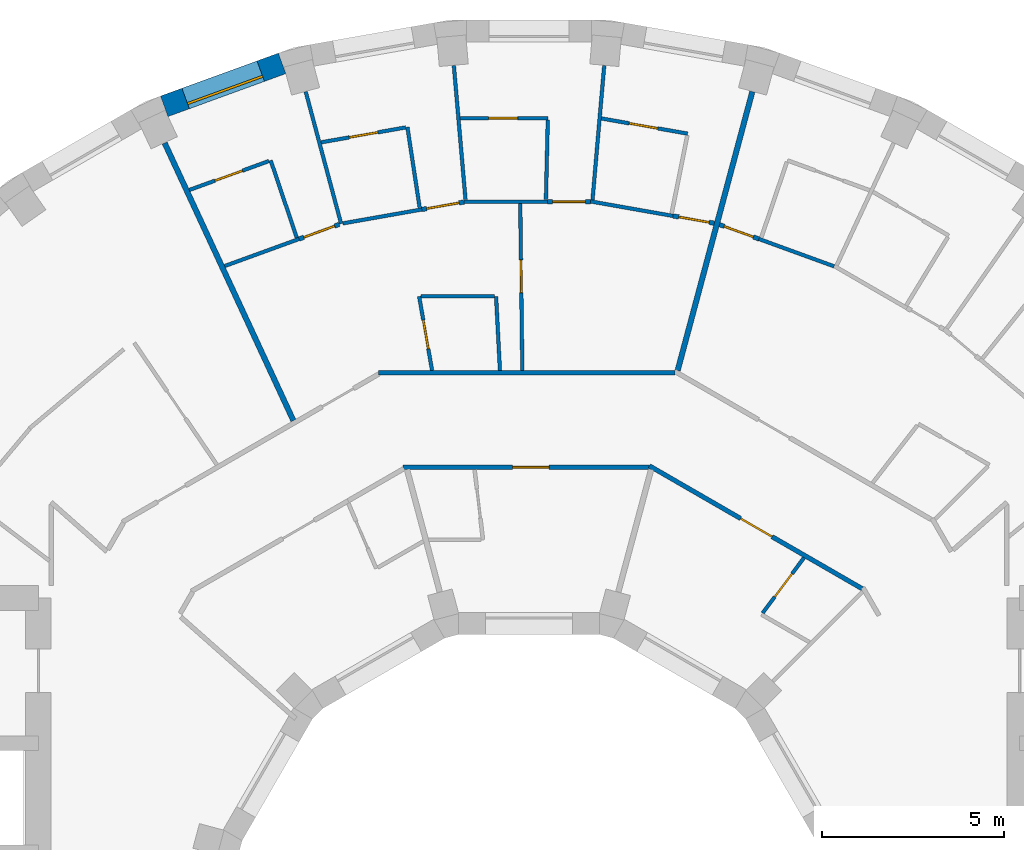
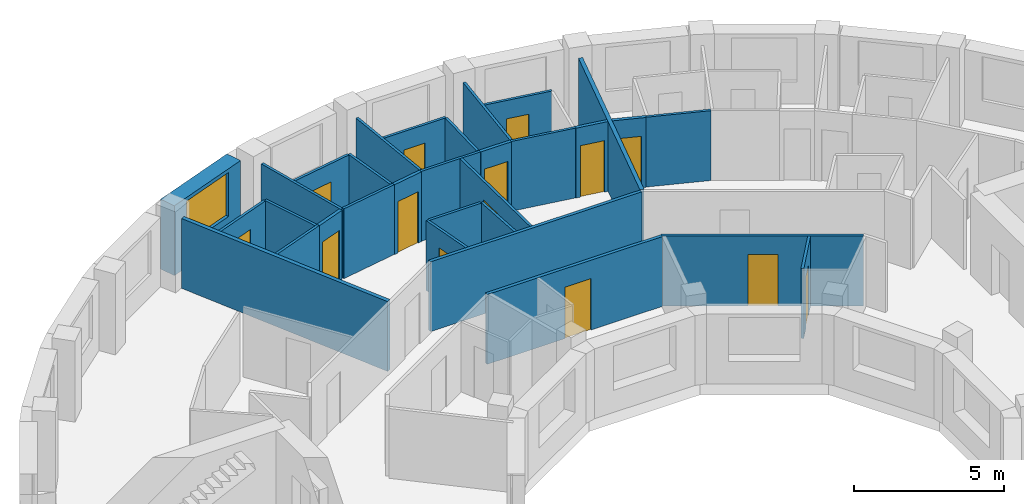
# One storey, part 11 of 14: 31 walls, 14 doors, 1 window, 15 openings.
"""IFC4 building model written with IfcOpenShell, lengths in metres."""

from ifc_helpers import new_model, si_unit, direction, frame, frame_2d, origin, place, context, subcontext, project, spatial, rectangle, extrude, material, layer, layer_set, type_object, element, fill, save


model = new_model("IFC4")

# Units and contexts
model_context = context("Model", 3, precision=1e-05, world=origin(), true_north=direction((0.0, 1.0)))
body_context = subcontext(model_context, "Body", "Model", "MODEL_VIEW")
ifc_project = project(units=[si_unit("LENGTHUNIT", "METRE"), si_unit("AREAUNIT", "SQUARE_METRE"), si_unit("VOLUMEUNIT", "CUBIC_METRE"), si_unit("PLANEANGLEUNIT", "RADIAN"), si_unit("MASSUNIT", "GRAM", prefix="KILO")], contexts=[model_context])

# Site, building, storey
site_placement = place(None, origin())
site = spatial("IfcSite", under=ifc_project, at=site_placement, CompositionType="ELEMENT")
building_placement = place(site_placement, origin())
building = spatial("IfcBuilding", under=site, at=building_placement, Name="Saqina Gate Tower", CompositionType="ELEMENT")
storey_placement = place(building_placement, frame((0.0, 0.0, 170.699951171875)))
storey = spatial("IfcBuildingStorey", under=building, at=storey_placement, Name="L48", CompositionType="ELEMENT", Elevation=170.699951171875)

# Wall, opening, window
ifc_material_1 = material(Name="Brick masonry (buff)", Category="masonry")
ifc_layer_1 = layer(ifc_material_1, 0.60009765625)
ifc_layer_set_1 = layer_set([ifc_layer_1], Name="FW-BRICK-BUFF")
wall_type_1 = type_object("IfcWallType", Name="FW-BRICK-BUFF", PredefinedType="SOLIDWALL", material=ifc_layer_set_1)
wall_1_placement = place(storey_placement, frame((-6.79443359375, 23.7109375, 0.0), z_axis=(0.0, 0.0, 1.0), x_axis=(-0.93968799822, -0.342032843455, 0.0)))
wall_1 = element("IfcWall", 1, at=wall_1_placement, inside=storey, type_object=wall_type_1, Name="Facade wall L48 facet 11", PredefinedType="SOLIDWALL", context=body_context, shape_type="SweptSolid", body=[
    extrude(rectangle(XDim=3.44970703125, YDim=0.60009765625, at=frame_2d((1.724853515625, 0.0))), origin(), (0.0, 0.0, 1.0), 2.85009765625),
])
opening_1_placement = place(wall_1_placement, frame((0.625, 0.0, 0.89990234375)))
opening_1 = element("IfcOpeningElement", 2, at=opening_1_placement, cuts=wall_1, Name="Opening G14-W09", PredefinedType="OPENING", context=body_context, shape_type="SweptSolid", body=[
    extrude(rectangle(XDim=2.199951171875, YDim=1.800048828125, at=frame_2d((1.10009765625, 0.89990234375))), frame((0.0, 0.31201171875, 0.0), z_axis=(0.0, -1.0, 0.0), x_axis=(1.0, 0.0, 0.0)), (0.0, 0.0, 1.0), 0.6240234375),
])
ifc_material_2 = material(Name="Aluminium glazing", Category="aluminium")
window_type = type_object("IfcWindowType", Name="WN-C", PartitioningType="SINGLE_PANEL", PredefinedType="WINDOW", material=ifc_material_2)
window_placement = place(opening_1_placement, origin())
window = element("IfcWindow", 3, at=window_placement, inside=storey, type_object=window_type, Name="Window L48 facet 11", OverallHeight=1.800048828125, OverallWidth=2.199951171875, PartitioningType="SINGLE_PANEL", PredefinedType="WINDOW", context=body_context, shape_type="SweptSolid", body=[
    extrude(rectangle(XDim=2.199951171875, YDim=1.800048828125, at=frame_2d((1.10009765625, 0.89990234375))), frame((0.0, 0.179931640625, 0.0), z_axis=(0.0, -1.0, 0.0), x_axis=(1.0, 0.0, 0.0)), (0.0, 0.0, 1.0), 0.06005859375),
])
fill(opening_1, window)

# Wall, opening, door
ifc_material_3 = material(Name="Gypsum board on steel studs, 100 mm", Category="steel")
ifc_layer_2 = layer(ifc_material_3, 0.10009765625)
ifc_layer_set_2 = layer_set([ifc_layer_2], Name="PARTITION 100")
wall_type_2 = type_object("IfcWallType", Name="PARTITION 100", PredefinedType="PARTITIONING", material=ifc_layer_set_2)
wall_2_placement = place(storey_placement, frame((-0.241455078125, 19.85498046875, 0.0), z_axis=(0.0, 0.0, 1.0), x_axis=(0.012332271409, -0.999923954649, 0.0)))
wall_2 = element("IfcWall", 4, at=wall_2_placement, inside=storey, type_object=wall_type_2, Name="PARTITION PW3-01", PredefinedType="PARTITIONING", context=body_context, shape_type="SweptSolid", body=[
    extrude(rectangle(XDim=4.5927734375, YDim=0.10009765625, at=frame_2d((2.29638671875, 0.0))), origin(), (0.0, 0.0, 1.0), 2.85009765625),
])
opening_2_placement = place(wall_2_placement, frame((1.552734375, 0.0, 0.0)))
opening_2 = element("IfcOpeningElement", 5, at=opening_2_placement, cuts=wall_2, Name="Opening G14-D18", PredefinedType="OPENING", context=body_context, shape_type="SweptSolid", body=[
    extrude(rectangle(XDim=0.89990234375, YDim=2.10009765625, at=frame_2d((0.449951171875, 1.050048828125))), frame((0.0, 0.06201171875, 0.0), z_axis=(0.0, -1.0, 0.0), x_axis=(1.0, 0.0, 0.0)), (0.0, 0.0, 1.0), 0.1240234375),
])
ifc_material_4 = material(Name="Timber door leaf, 900 mm", Category="wood")
door_type_1 = type_object("IfcDoorType", Name="DOOR 900 TIMBER", OperationType="SINGLE_SWING_LEFT", PredefinedType="DOOR", material=ifc_material_4)
door_1_placement = place(opening_2_placement, frame((0.89990234375, 0.0, 0.0), z_axis=(0.0, 0.0, 1.0), x_axis=(-1.0, 0.0, 0.0)))
door_1 = element("IfcDoor", 6, at=door_1_placement, inside=storey, type_object=door_type_1, Name="DOOR G14-D18", OperationType="SINGLE_SWING_LEFT", OverallHeight=2.10009765625, OverallWidth=0.89990234375, PredefinedType="DOOR", context=body_context, shape_type="SweptSolid", body=[
    extrude(rectangle(XDim=0.89990234375, YDim=2.10009765625, at=frame_2d((0.449951171875, 1.050048828125))), frame((0.0, 0.02490234375, 0.0), z_axis=(0.0, -1.0, 0.0), x_axis=(1.0, 0.0, 0.0)), (0.0, 0.0, 1.0), 0.050048828125),
])
fill(opening_2, door_1)

# Walls
wall_3_placement = place(storey_placement, frame((-0.906982421875, 17.300048828125, 0.0), z_axis=(0.0, 0.0, 1.0), x_axis=(0.052288783436, -0.998632005859, 0.0)))
element("IfcWall", 7, at=wall_3_placement, inside=storey, type_object=wall_type_2, Name="PARTITION PW3-03", PredefinedType="PARTITIONING", context=body_context, shape_type="SweptSolid", body=[
    extrude(rectangle(XDim=2.040283203125, YDim=0.10009765625, at=frame_2d((1.02001953125, 0.0))), origin(), (0.0, 0.0, 1.0), 2.85009765625),
])
wall_4_placement = place(storey_placement, frame((-2.06884765625, 23.649658203125, 0.0), z_axis=(0.0, 0.0, 1.0), x_axis=(0.086783514493, -0.996227193773, 0.0)))
element("IfcWall", 8, at=wall_4_placement, inside=storey, type_object=wall_type_2, Name="PARTITION PW3-04", PredefinedType="PARTITIONING", context=body_context, shape_type="SweptSolid", body=[
    extrude(rectangle(XDim=3.696533203125, YDim=0.10009765625, at=frame_2d((1.84814453125, 0.0))), origin(), (0.0, 0.0, 1.0), 2.85009765625),
])
wall_5_placement = place(storey_placement, frame((-3.346923828125, 21.95703125, 0.0), z_axis=(0.0, 0.0, 1.0), x_axis=(0.150778111259, -0.988567631053, 0.0)))
element("IfcWall", 9, at=wall_5_placement, inside=storey, type_object=wall_type_2, Name="PARTITION PW3-08", PredefinedType="PARTITIONING", context=body_context, shape_type="SweptSolid", body=[
    extrude(rectangle(XDim=2.23779296875, YDim=0.10009765625, at=frame_2d((1.118896484375, 0.0))), origin(), (0.0, 0.0, 1.0), 2.85009765625),
])

# Wall, opening, door
wall_6_placement = place(storey_placement, frame((-3.02392578125, 17.300048828125, 0.0), z_axis=(0.0, 0.0, 1.0), x_axis=(0.172122773882, -0.985075505081, 0.0)))
wall_6 = element("IfcWall", 10, at=wall_6_placement, inside=storey, type_object=wall_type_2, Name="PARTITION PW3-10", PredefinedType="PARTITIONING", context=body_context, shape_type="SweptSolid", body=[
    extrude(rectangle(XDim=2.069580078125, YDim=0.10009765625, at=frame_2d((1.03466796875, 0.0))), origin(), (0.0, 0.0, 1.0), 2.85009765625),
])
opening_3_placement = place(wall_6_placement, frame((0.666015625, 0.0, 0.0)))
opening_3 = element("IfcOpeningElement", 11, at=opening_3_placement, cuts=wall_6, Name="Opening G14-D22", PredefinedType="OPENING", context=body_context, shape_type="SweptSolid", body=[
    extrude(rectangle(XDim=0.800048828125, YDim=2.10009765625, at=frame_2d((0.39990234375, 1.050048828125))), frame((0.0, 0.06201171875, 0.0), z_axis=(0.0, -1.0, 0.0), x_axis=(1.0, 0.0, 0.0)), (0.0, 0.0, 1.0), 0.1240234375),
])
ifc_material_5 = material(Name="Timber door leaf, 800 mm", Category="wood")
door_type_2 = type_object("IfcDoorType", Name="DOOR 800 TIMBER", OperationType="SINGLE_SWING_LEFT", PredefinedType="DOOR", material=ifc_material_5)
door_2_placement = place(opening_3_placement, frame((0.800048828125, 0.0, 0.0), z_axis=(0.0, 0.0, 1.0), x_axis=(-1.0, 0.0, 0.0)))
door_2 = element("IfcDoor", 12, at=door_2_placement, inside=storey, type_object=door_type_2, Name="DOOR G14-D22", OperationType="SINGLE_SWING_LEFT", OverallHeight=2.10009765625, OverallWidth=0.800048828125, PredefinedType="DOOR", context=body_context, shape_type="SweptSolid", body=[
    extrude(rectangle(XDim=0.800048828125, YDim=2.10009765625, at=frame_2d((0.39990234375, 1.050048828125))), frame((0.0, 0.02490234375, 0.0), z_axis=(0.0, -1.0, 0.0), x_axis=(1.0, 0.0, 0.0)), (0.0, 0.0, 1.0), 0.050048828125),
])
fill(opening_3, door_2)

# Walls
wall_7_placement = place(storey_placement, frame((-6.144775390625, 22.930908203125, 0.0), z_axis=(0.0, 0.0, 1.0), x_axis=(0.259065026248, -0.965859882268, 0.0)))
element("IfcWall", 13, at=wall_7_placement, inside=storey, type_object=wall_type_2, Name="PARTITION PW3-13", PredefinedType="PARTITIONING", context=body_context, shape_type="SweptSolid", body=[
    extrude(rectangle(XDim=3.75927734375, YDim=0.10009765625, at=frame_2d((1.879638671875, 0.0))), origin(), (0.0, 0.0, 1.0), 2.85009765625),
])
wall_8_placement = place(storey_placement, frame((-7.10888671875, 21.0419921875, 0.0), z_axis=(0.0, 0.0, 1.0), x_axis=(0.320001473527, -0.947417044886, 0.0)))
element("IfcWall", 14, at=wall_8_placement, inside=storey, type_object=wall_type_2, Name="PARTITION PW3-15", PredefinedType="PARTITIONING", context=body_context, shape_type="SweptSolid", body=[
    extrude(rectangle(XDim=2.25, YDim=0.10009765625, at=frame_2d((1.125, 0.0))), origin(), (0.0, 0.0, 1.0), 2.85009765625),
])
wall_9_placement = place(storey_placement, frame((6.325927734375, 18.879638671875, 0.0), z_axis=(0.0, 0.0, 1.0), x_axis=(0.939712538812, -0.341965414041, 0.0)))
element("IfcWall", 15, at=wall_9_placement, inside=storey, type_object=wall_type_2, Name="PARTITION PW3-44", PredefinedType="PARTITIONING", context=body_context, shape_type="SweptSolid", body=[
    extrude(rectangle(XDim=2.203857421875, YDim=0.10009765625, at=frame_2d((1.10205078125, 0.0))), origin(), (0.0, 0.0, 1.0), 2.85009765625),
])
wall_10_placement = place(storey_placement, frame((1.69091796875, 19.913818359375, 0.0), z_axis=(0.0, 0.0, 1.0), x_axis=(0.984801677979, -0.173682627367, 0.0)))
element("IfcWall", 16, at=wall_10_placement, inside=storey, type_object=wall_type_2, Name="PARTITION PW3-48", PredefinedType="PARTITIONING", context=body_context, shape_type="SweptSolid", body=[
    extrude(rectangle(XDim=2.305419921875, YDim=0.10009765625, at=frame_2d((1.15283203125, 0.0))), origin(), (0.0, 0.0, 1.0), 2.85009765625),
])

# Wall, opening, door
wall_11_placement = place(storey_placement, frame((1.9921875, 22.1962890625, 0.0), z_axis=(0.0, 0.0, 1.0), x_axis=(0.984820260231, -0.173577230762, 0.0)))
wall_11 = element("IfcWall", 17, at=wall_11_placement, inside=storey, type_object=wall_type_2, Name="PARTITION PW3-49", PredefinedType="PARTITIONING", context=body_context, shape_type="SweptSolid", body=[
    extrude(rectangle(XDim=2.409423828125, YDim=0.10009765625, at=frame_2d((1.20458984375, 0.0))), origin(), (0.0, 0.0, 1.0), 2.85009765625),
])
opening_4_placement = place(wall_11_placement, frame((0.77978515625, 0.0, 0.0)))
opening_4 = element("IfcOpeningElement", 18, at=opening_4_placement, cuts=wall_11, Name="Opening G14-D15", PredefinedType="OPENING", context=body_context, shape_type="SweptSolid", body=[
    extrude(rectangle(XDim=0.800048828125, YDim=2.10009765625, at=frame_2d((0.39990234375, 1.050048828125))), frame((0.0, 0.06201171875, 0.0), z_axis=(0.0, -1.0, 0.0), x_axis=(1.0, 0.0, 0.0)), (0.0, 0.0, 1.0), 0.1240234375),
])
door_3_placement = place(opening_4_placement, origin())
door_3 = element("IfcDoor", 19, at=door_3_placement, inside=storey, type_object=door_type_2, Name="DOOR G14-D15", OperationType="SINGLE_SWING_LEFT", OverallHeight=2.10009765625, OverallWidth=0.800048828125, PredefinedType="DOOR", context=body_context, shape_type="SweptSolid", body=[
    extrude(rectangle(XDim=0.800048828125, YDim=2.10009765625, at=frame_2d((0.39990234375, 1.050048828125))), frame((0.0, 0.02490234375, 0.0), z_axis=(0.0, -1.0, 0.0), x_axis=(1.0, 0.0, 0.0)), (0.0, 0.0, 1.0), 0.050048828125),
])
fill(opening_4, door_3)

# Walls
wall_12_placement = place(storey_placement, frame((-2.97412109375, 17.300048828125, 0.0), z_axis=(0.0, 0.0, 1.0), x_axis=(1.0, 0.0, 0.0)))
element("IfcWall", 20, at=wall_12_placement, inside=storey, type_object=wall_type_2, Name="PARTITION PW3-55", PredefinedType="PARTITIONING", context=body_context, shape_type="SweptSolid", body=[
    extrude(rectangle(XDim=2.01708984375, YDim=0.10009765625, at=frame_2d((1.008544921875, 0.0))), origin(), (0.0, 0.0, 1.0), 2.85009765625),
])
wall_13_placement = place(storey_placement, frame((-1.791748046875, 19.905029296875, 0.0), z_axis=(0.0, 0.0, 1.0), x_axis=(1.0, 0.0, 0.0)))
element("IfcWall", 21, at=wall_13_placement, inside=storey, type_object=wall_type_2, Name="PARTITION PW3-56", PredefinedType="PARTITIONING", context=body_context, shape_type="SweptSolid", body=[
    extrude(rectangle(XDim=2.3046875, YDim=0.10009765625, at=frame_2d((1.15234375, 0.0))), origin(), (0.0, 0.0, 1.0), 2.85009765625),
])

# Wall, opening, door
wall_14_placement = place(storey_placement, frame((-1.89306640625, 22.205078125, 0.0), z_axis=(0.0, 0.0, 1.0), x_axis=(1.0, 0.0, 0.0)))
wall_14 = element("IfcWall", 22, at=wall_14_placement, inside=storey, type_object=wall_type_2, Name="PARTITION PW3-57", PredefinedType="PARTITIONING", context=body_context, shape_type="SweptSolid", body=[
    extrude(rectangle(XDim=2.41015625, YDim=0.10009765625, at=frame_2d((1.205078125, 0.0))), origin(), (0.0, 0.0, 1.0), 2.85009765625),
])
opening_5_placement = place(wall_14_placement, frame((0.780029296875, 0.0, 0.0)))
opening_5 = element("IfcOpeningElement", 23, at=opening_5_placement, cuts=wall_14, Name="Opening G14-D19", PredefinedType="OPENING", context=body_context, shape_type="SweptSolid", body=[
    extrude(rectangle(XDim=0.800048828125, YDim=2.10009765625, at=frame_2d((0.39990234375, 1.050048828125))), frame((0.0, 0.06201171875, 0.0), z_axis=(0.0, -1.0, 0.0), x_axis=(1.0, 0.0, 0.0)), (0.0, 0.0, 1.0), 0.1240234375),
])
door_4_placement = place(opening_5_placement, origin())
door_4 = element("IfcDoor", 24, at=door_4_placement, inside=storey, type_object=door_type_2, Name="DOOR G14-D19", OperationType="SINGLE_SWING_LEFT", OverallHeight=2.10009765625, OverallWidth=0.800048828125, PredefinedType="DOOR", context=body_context, shape_type="SweptSolid", body=[
    extrude(rectangle(XDim=0.800048828125, YDim=2.10009765625, at=frame_2d((0.39990234375, 1.050048828125))), frame((0.0, 0.02490234375, 0.0), z_axis=(0.0, -1.0, 0.0), x_axis=(1.0, 0.0, 0.0)), (0.0, 0.0, 1.0), 0.050048828125),
])
fill(opening_5, door_4)

# Wall
wall_15_placement = place(storey_placement, frame((-5.121826171875, 19.30859375, 0.0), z_axis=(0.0, 0.0, 1.0), x_axis=(0.984790246942, 0.173747430277, 0.0)))
element("IfcWall", 25, at=wall_15_placement, inside=storey, type_object=wall_type_2, Name="PARTITION PW3-60", PredefinedType="PARTITIONING", context=body_context, shape_type="SweptSolid", body=[
    extrude(rectangle(XDim=2.20458984375, YDim=0.10009765625, at=frame_2d((1.102294921875, 0.0))), origin(), (0.0, 0.0, 1.0), 2.85009765625),
])

# Wall, opening, door
wall_16_placement = place(storey_placement, frame((-5.7197265625, 21.53857421875, 0.0), z_axis=(0.0, 0.0, 1.0), x_axis=(0.984809591131, 0.173637752855, 0.0)))
wall_16 = element("IfcWall", 26, at=wall_16_placement, inside=storey, type_object=wall_type_2, Name="PARTITION PW3-61", PredefinedType="PARTITIONING", context=body_context, shape_type="SweptSolid", body=[
    extrude(rectangle(XDim=2.359375, YDim=0.10009765625, at=frame_2d((1.1796875, 0.0))), origin(), (0.0, 0.0, 1.0), 2.85009765625),
])
opening_6_placement = place(wall_16_placement, frame((0.77978515625, 0.0, 0.0)))
opening_6 = element("IfcOpeningElement", 27, at=opening_6_placement, cuts=wall_16, Name="Opening G14-D23", PredefinedType="OPENING", context=body_context, shape_type="SweptSolid", body=[
    extrude(rectangle(XDim=0.800048828125, YDim=2.10009765625, at=frame_2d((0.39990234375, 1.050048828125))), frame((0.0, 0.06201171875, 0.0), z_axis=(0.0, -1.0, 0.0), x_axis=(1.0, 0.0, 0.0)), (0.0, 0.0, 1.0), 0.1240234375),
])
door_5_placement = place(opening_6_placement, origin())
door_5 = element("IfcDoor", 28, at=door_5_placement, inside=storey, type_object=door_type_2, Name="DOOR G14-D23", OperationType="SINGLE_SWING_RIGHT", OverallHeight=2.10009765625, OverallWidth=0.800048828125, PredefinedType="DOOR", context=body_context, shape_type="SweptSolid", body=[
    extrude(rectangle(XDim=0.800048828125, YDim=2.10009765625, at=frame_2d((0.39990234375, 1.050048828125))), frame((0.0, 0.02490234375, 0.0), z_axis=(0.0, -1.0, 0.0), x_axis=(1.0, 0.0, 0.0)), (0.0, 0.0, 1.0), 0.050048828125),
])
fill(opening_6, door_5)

# Wall
wall_17_placement = place(storey_placement, frame((-8.37353515625, 18.134765625, 0.0), z_axis=(0.0, 0.0, 1.0), x_axis=(0.939750886848, 0.341860016189, 0.0)))
element("IfcWall", 29, at=wall_17_placement, inside=storey, type_object=wall_type_2, Name="PARTITION PW3-64", PredefinedType="PARTITIONING", context=body_context, shape_type="SweptSolid", body=[
    extrude(rectangle(XDim=2.178955078125, YDim=0.10009765625, at=frame_2d((1.08935546875, 0.0))), origin(), (0.0, 0.0, 1.0), 2.85009765625),
])

# Wall, opening, door
wall_18_placement = place(storey_placement, frame((-9.349609375, 20.2265625, 0.0), z_axis=(0.0, 0.0, 1.0), x_axis=(0.939701781882, 0.341994972371, 0.0)))
wall_18 = element("IfcWall", 30, at=wall_18_placement, inside=storey, type_object=wall_type_2, Name="PARTITION PW3-65", PredefinedType="PARTITIONING", context=body_context, shape_type="SweptSolid", body=[
    extrude(rectangle(XDim=2.33447265625, YDim=0.10009765625, at=frame_2d((1.167236328125, 0.0))), origin(), (0.0, 0.0, 1.0), 2.85009765625),
])
opening_7_placement = place(wall_18_placement, frame((0.754638671875, 0.0, 0.0)))
opening_7 = element("IfcOpeningElement", 31, at=opening_7_placement, cuts=wall_18, Name="Opening G14-D26", PredefinedType="OPENING", context=body_context, shape_type="SweptSolid", body=[
    extrude(rectangle(XDim=0.800048828125, YDim=2.10009765625, at=frame_2d((0.39990234375, 1.050048828125))), frame((0.0, 0.06201171875, 0.0), z_axis=(0.0, -1.0, 0.0), x_axis=(1.0, 0.0, 0.0)), (0.0, 0.0, 1.0), 0.1240234375),
])
door_6_placement = place(opening_7_placement, origin())
door_6 = element("IfcDoor", 32, at=door_6_placement, inside=storey, type_object=door_type_2, Name="DOOR G14-D26", OperationType="SINGLE_SWING_LEFT", OverallHeight=2.10009765625, OverallWidth=0.800048828125, PredefinedType="DOOR", context=body_context, shape_type="SweptSolid", body=[
    extrude(rectangle(XDim=0.800048828125, YDim=2.10009765625, at=frame_2d((0.39990234375, 1.050048828125))), frame((0.0, 0.02490234375, 0.0), z_axis=(0.0, -1.0, 0.0), x_axis=(1.0, 0.0, 0.0)), (0.0, 0.0, 1.0), 0.050048828125),
])
fill(opening_7, door_6)

wall_19_placement = place(storey_placement, frame((6.427001953125, 8.5859375, 0.0), z_axis=(0.0, 0.0, 1.0), x_axis=(0.599137140235, 0.800646418334, 0.0)))
wall_19 = element("IfcWall", 33, at=wall_19_placement, inside=storey, type_object=wall_type_2, Name="PARTITION PW3-87", PredefinedType="PARTITIONING", context=body_context, shape_type="SweptSolid", body=[
    extrude(rectangle(XDim=1.902099609375, YDim=0.10009765625, at=frame_2d((0.951171875, 0.0))), origin(), (0.0, 0.0, 1.0), 2.85009765625),
])
opening_8_placement = place(wall_19_placement, frame((0.557373046875, 0.0, 0.0)))
opening_8 = element("IfcOpeningElement", 34, at=opening_8_placement, cuts=wall_19, Name="Opening G14-D06", PredefinedType="OPENING", context=body_context, shape_type="SweptSolid", body=[
    extrude(rectangle(XDim=0.800048828125, YDim=2.10009765625, at=frame_2d((0.39990234375, 1.050048828125))), frame((0.0, 0.06201171875, 0.0), z_axis=(0.0, -1.0, 0.0), x_axis=(1.0, 0.0, 0.0)), (0.0, 0.0, 1.0), 0.1240234375),
])
door_7_placement = place(opening_8_placement, origin())
door_7 = element("IfcDoor", 35, at=door_7_placement, inside=storey, type_object=door_type_2, Name="DOOR G14-D06", OperationType="SINGLE_SWING_RIGHT", OverallHeight=2.10009765625, OverallWidth=0.800048828125, PredefinedType="DOOR", context=body_context, shape_type="SweptSolid", body=[
    extrude(rectangle(XDim=0.800048828125, YDim=2.10009765625, at=frame_2d((0.39990234375, 1.050048828125))), frame((0.0, 0.02490234375, 0.0), z_axis=(0.0, -1.0, 0.0), x_axis=(1.0, 0.0, 0.0)), (0.0, 0.0, 1.0), 0.050048828125),
])
fill(opening_8, door_7)

# Walls
wall_20_placement = place(storey_placement, frame((1.746826171875, 19.95458984375, 0.0), z_axis=(0.0, 0.0, 1.0), x_axis=(0.086819919703, 0.996224021766, 0.0)))
element("IfcWall", 36, at=wall_20_placement, inside=storey, type_object=wall_type_2, Name="PARTITION PW3-102", PredefinedType="PARTITIONING", context=body_context, shape_type="SweptSolid", body=[
    extrude(rectangle(XDim=3.708984375, YDim=0.10009765625, at=frame_2d((1.8544921875, 0.0))), origin(), (0.0, 0.0, 1.0), 2.85009765625),
])
wall_21_placement = place(storey_placement, frame((0.46435546875, 19.967529296875, 0.0), z_axis=(0.0, 0.0, 1.0), x_axis=(0.023542580156, 0.99972283505, 0.0)))
element("IfcWall", 37, at=wall_21_placement, inside=storey, type_object=wall_type_2, Name="PARTITION PW3-103", PredefinedType="PARTITIONING", context=body_context, shape_type="SweptSolid", body=[
    extrude(rectangle(XDim=2.18798828125, YDim=0.10009765625, at=frame_2d((1.093994140625, 0.0))), origin(), (0.0, 0.0, 1.0), 2.85009765625),
])

# Wall, opening, door
ifc_material_6 = material(Name="Gypsum board on steel studs, 125 mm, fire rated", Category="steel")
ifc_layer_3 = layer(ifc_material_6, 0.125)
ifc_layer_set_3 = layer_set([ifc_layer_3], Name="PARTITION EI 30 125")
wall_type_3 = type_object("IfcWallType", Name="PARTITION EI 30 125", PredefinedType="PARTITIONING", material=ifc_layer_set_3)
wall_22_placement = place(storey_placement, frame((3.3134765625, 12.635986328125, 0.0), z_axis=(0.0, 0.0, 1.0), x_axis=(0.866048512801, -0.499959971872, 0.0)))
wall_22 = element("IfcWall", 38, at=wall_22_placement, inside=storey, type_object=wall_type_3, Name="PARTITION PW1-19", PredefinedType="PARTITIONING", context=body_context, shape_type="SweptSolid", body=[
    extrude(rectangle(XDim=6.76220703125, YDim=0.125, at=frame_2d((3.381103515625, 0.0))), origin(), (0.0, 0.0, 1.0), 2.85009765625),
])
opening_9_placement = place(wall_22_placement, frame((2.897705078125, 0.0, 0.0)))
opening_9 = element("IfcOpeningElement", 39, at=opening_9_placement, cuts=wall_22, Name="Opening G14-D09", PredefinedType="OPENING", context=body_context, shape_type="SweptSolid", body=[
    extrude(rectangle(XDim=1.0, YDim=2.10009765625, at=frame_2d((0.5, 1.050048828125))), frame((0.0, 0.074462890625, 0.0), z_axis=(0.0, -1.0, 0.0), x_axis=(1.0, 0.0, 0.0)), (0.0, 0.0, 1.0), 0.14892578125),
])
ifc_material_7 = material(Name="Fire door leaf EI 30, 1000 mm")
door_type_3 = type_object("IfcDoorType", Name="DOOR 1000 EI 30", OperationType="SINGLE_SWING_LEFT", PredefinedType="DOOR", material=ifc_material_7)
door_8_placement = place(opening_9_placement, frame((1.0, 0.0, 0.0), z_axis=(0.0, 0.0, 1.0), x_axis=(-1.0, 0.0, 0.0)))
door_8 = element("IfcDoor", 40, at=door_8_placement, inside=storey, type_object=door_type_3, Name="DOOR G14-D09", OperationType="SINGLE_SWING_LEFT", OverallHeight=2.10009765625, OverallWidth=1.0, PredefinedType="DOOR", context=body_context, shape_type="SweptSolid", body=[
    extrude(rectangle(XDim=1.0, YDim=2.10009765625, at=frame_2d((0.5, 1.050048828125))), frame((0.0, 0.02490234375, 0.0), z_axis=(0.0, -1.0, 0.0), x_axis=(1.0, 0.0, 0.0)), (0.0, 0.0, 1.0), 0.050048828125),
])
fill(opening_9, door_8)

wall_23_placement = place(storey_placement, frame((5.241455078125, 19.2744140625, 0.0), z_axis=(0.0, 0.0, 1.0), x_axis=(0.939651255639, -0.342133771756, 0.0)))
wall_23 = element("IfcWall", 41, at=wall_23_placement, inside=storey, type_object=wall_type_3, Name="PARTITION PW1-23", PredefinedType="PARTITIONING", context=body_context, shape_type="SweptSolid", body=[
    extrude(rectangle(XDim=1.15380859375, YDim=0.125, at=frame_2d((0.576904296875, 0.0))), origin(), (0.0, 0.0, 1.0), 2.85009765625),
])
opening_10_placement = place(wall_23_placement, frame((0.139404296875, 0.0, 0.0)))
opening_10 = element("IfcOpeningElement", 42, at=opening_10_placement, cuts=wall_23, Name="Opening G14-D13", PredefinedType="OPENING", context=body_context, shape_type="SweptSolid", body=[
    extrude(rectangle(XDim=0.85009765625, YDim=2.10009765625, at=frame_2d((0.425048828125, 1.050048828125))), frame((0.0, 0.074462890625, 0.0), z_axis=(0.0, -1.0, 0.0), x_axis=(1.0, 0.0, 0.0)), (0.0, 0.0, 1.0), 0.14892578125),
])
ifc_material_8 = material(Name="Fire door leaf EI 30, 850 mm")
door_type_4 = type_object("IfcDoorType", Name="DOOR 850 EI 30", OperationType="SINGLE_SWING_LEFT", PredefinedType="DOOR", material=ifc_material_8)
door_9_placement = place(opening_10_placement, frame((0.85009765625, 0.0, 0.0), z_axis=(0.0, 0.0, 1.0), x_axis=(-1.0, 0.0, 0.0)))
door_9 = element("IfcDoor", 43, at=door_9_placement, inside=storey, type_object=door_type_4, Name="DOOR G14-D13", OperationType="SINGLE_SWING_RIGHT", OverallHeight=2.10009765625, OverallWidth=0.85009765625, PredefinedType="DOOR", context=body_context, shape_type="SweptSolid", body=[
    extrude(rectangle(XDim=0.85009765625, YDim=2.10009765625, at=frame_2d((0.425048828125, 1.050048828125))), frame((0.0, 0.02490234375, 0.0), z_axis=(0.0, -1.0, 0.0), x_axis=(1.0, 0.0, 0.0)), (0.0, 0.0, 1.0), 0.050048828125),
])
fill(opening_10, door_9)

wall_24_placement = place(storey_placement, frame((3.961181640625, 19.513427734375, 0.0), z_axis=(0.0, 0.0, 1.0), x_axis=(0.984787819846, -0.173761186352, 0.0)))
wall_24 = element("IfcWall", 44, at=wall_24_placement, inside=storey, type_object=wall_type_3, Name="PARTITION PW1-25", PredefinedType="PARTITIONING", context=body_context, shape_type="SweptSolid", body=[
    extrude(rectangle(XDim=1.153564453125, YDim=0.125, at=frame_2d((0.57666015625, 0.0))), origin(), (0.0, 0.0, 1.0), 2.85009765625),
])
opening_11_placement = place(wall_24_placement, frame((0.164306640625, 0.0, 0.0)))
opening_11 = element("IfcOpeningElement", 45, at=opening_11_placement, cuts=wall_24, Name="Opening G14-D14", PredefinedType="OPENING", context=body_context, shape_type="SweptSolid", body=[
    extrude(rectangle(XDim=0.85009765625, YDim=2.10009765625, at=frame_2d((0.425048828125, 1.050048828125))), frame((0.0, 0.074462890625, 0.0), z_axis=(0.0, -1.0, 0.0), x_axis=(1.0, 0.0, 0.0)), (0.0, 0.0, 1.0), 0.14892578125),
])
door_10_placement = place(opening_11_placement, frame((0.85009765625, 0.0, 0.0), z_axis=(0.0, 0.0, 1.0), x_axis=(-1.0, 0.0, 0.0)))
door_10 = element("IfcDoor", 46, at=door_10_placement, inside=storey, type_object=door_type_4, Name="DOOR G14-D14", OperationType="SINGLE_SWING_LEFT", OverallHeight=2.10009765625, OverallWidth=0.85009765625, PredefinedType="DOOR", context=body_context, shape_type="SweptSolid", body=[
    extrude(rectangle(XDim=0.85009765625, YDim=2.10009765625, at=frame_2d((0.425048828125, 1.050048828125))), frame((0.0, 0.02490234375, 0.0), z_axis=(0.0, -1.0, 0.0), x_axis=(1.0, 0.0, 0.0)), (0.0, 0.0, 1.0), 0.050048828125),
])
fill(opening_11, door_10)

wall_25_placement = place(storey_placement, frame((-3.462646484375, 12.60009765625, 0.0), z_axis=(0.0, 0.0, 1.0), x_axis=(1.0, 0.0, 0.0)))
wall_25 = element("IfcWall", 47, at=wall_25_placement, inside=storey, type_object=wall_type_3, Name="PARTITION PW1-29", PredefinedType="PARTITIONING", context=body_context, shape_type="SweptSolid", body=[
    extrude(rectangle(XDim=6.776123046875, YDim=0.125, at=frame_2d((3.38818359375, 0.0))), origin(), (0.0, 0.0, 1.0), 2.85009765625),
])
opening_12_placement = place(wall_25_placement, frame((3.01318359375, 0.0, 0.0)))
opening_12 = element("IfcOpeningElement", 48, at=opening_12_placement, cuts=wall_25, Name="Opening G14-D17", PredefinedType="OPENING", context=body_context, shape_type="SweptSolid", body=[
    extrude(rectangle(XDim=1.0, YDim=2.10009765625, at=frame_2d((0.5, 1.050048828125))), frame((0.0, 0.074462890625, 0.0), z_axis=(0.0, -1.0, 0.0), x_axis=(1.0, 0.0, 0.0)), (0.0, 0.0, 1.0), 0.14892578125),
])
door_11_placement = place(opening_12_placement, frame((1.0, 0.0, 0.0), z_axis=(0.0, 0.0, 1.0), x_axis=(-1.0, 0.0, 0.0)))
door_11 = element("IfcDoor", 49, at=door_11_placement, inside=storey, type_object=door_type_3, Name="DOOR G14-D17", OperationType="SINGLE_SWING_LEFT", OverallHeight=2.10009765625, OverallWidth=1.0, PredefinedType="DOOR", context=body_context, shape_type="SweptSolid", body=[
    extrude(rectangle(XDim=1.0, YDim=2.10009765625, at=frame_2d((0.5, 1.050048828125))), frame((0.0, 0.02490234375, 0.0), z_axis=(0.0, -1.0, 0.0), x_axis=(1.0, 0.0, 0.0)), (0.0, 0.0, 1.0), 0.050048828125),
])
fill(opening_12, door_11)

# Wall
wall_26_placement = place(storey_placement, frame((-4.145263671875, 15.199951171875, 0.0), z_axis=(0.0, 0.0, 1.0), x_axis=(1.0, 0.0, 0.0)))
element("IfcWall", 50, at=wall_26_placement, inside=storey, type_object=wall_type_3, Name="PARTITION PW1-30", PredefinedType="PARTITIONING", context=body_context, shape_type="SweptSolid", body=[
    extrude(rectangle(XDim=8.15576171875, YDim=0.125, at=frame_2d((4.077880859375, 0.0))), origin(), (0.0, 0.0, 1.0), 2.85009765625),
])

# Wall, opening, door
wall_27_placement = place(storey_placement, frame((0.512939453125, 19.905029296875, 0.0), z_axis=(0.0, 0.0, 1.0), x_axis=(1.0, 0.0, 0.0)))
wall_27 = element("IfcWall", 51, at=wall_27_placement, inside=storey, type_object=wall_type_3, Name="PARTITION PW1-31", PredefinedType="PARTITIONING", context=body_context, shape_type="SweptSolid", body=[
    extrude(rectangle(XDim=1.177978515625, YDim=0.125, at=frame_2d((0.5888671875, 0.0))), origin(), (0.0, 0.0, 1.0), 2.85009765625),
])
opening_13_placement = place(wall_27_placement, frame((0.138916015625, 0.0, 0.0)))
opening_13 = element("IfcOpeningElement", 52, at=opening_13_placement, cuts=wall_27, Name="Opening G14-D16", PredefinedType="OPENING", context=body_context, shape_type="SweptSolid", body=[
    extrude(rectangle(XDim=0.89990234375, YDim=2.10009765625, at=frame_2d((0.449951171875, 1.050048828125))), frame((0.0, 0.074462890625, 0.0), z_axis=(0.0, -1.0, 0.0), x_axis=(1.0, 0.0, 0.0)), (0.0, 0.0, 1.0), 0.14892578125),
])
ifc_material_9 = material(Name="Fire door leaf EI 30, 900 mm")
door_type_5 = type_object("IfcDoorType", Name="DOOR 900 EI 30", OperationType="SINGLE_SWING_LEFT", PredefinedType="DOOR", material=ifc_material_9)
door_12_placement = place(opening_13_placement, frame((0.89990234375, 0.0, 0.0), z_axis=(0.0, 0.0, 1.0), x_axis=(-1.0, 0.0, 0.0)))
door_12 = element("IfcDoor", 53, at=door_12_placement, inside=storey, type_object=door_type_5, Name="DOOR G14-D16", OperationType="SINGLE_SWING_LEFT", OverallHeight=2.10009765625, OverallWidth=0.89990234375, PredefinedType="DOOR", context=body_context, shape_type="SweptSolid", body=[
    extrude(rectangle(XDim=0.89990234375, YDim=2.10009765625, at=frame_2d((0.449951171875, 1.050048828125))), frame((0.0, 0.02490234375, 0.0), z_axis=(0.0, -1.0, 0.0), x_axis=(1.0, 0.0, 0.0)), (0.0, 0.0, 1.0), 0.050048828125),
])
fill(opening_13, door_12)

wall_28_placement = place(storey_placement, frame((-2.95068359375, 19.691650390625, 0.0), z_axis=(0.0, 0.0, 1.0), x_axis=(0.984810663307, 0.173631671755, 0.0)))
wall_28 = element("IfcWall", 54, at=wall_28_placement, inside=storey, type_object=wall_type_3, Name="PARTITION PW1-33", PredefinedType="PARTITIONING", context=body_context, shape_type="SweptSolid", body=[
    extrude(rectangle(XDim=1.17822265625, YDim=0.125, at=frame_2d((0.589111328125, 0.0))), origin(), (0.0, 0.0, 1.0), 2.85009765625),
])
opening_14_placement = place(wall_28_placement, frame((0.13916015625, 0.0, 0.0)))
opening_14 = element("IfcOpeningElement", 55, at=opening_14_placement, cuts=wall_28, Name="Opening G14-D21", PredefinedType="OPENING", context=body_context, shape_type="SweptSolid", body=[
    extrude(rectangle(XDim=0.89990234375, YDim=2.10009765625, at=frame_2d((0.449951171875, 1.050048828125))), frame((0.0, 0.074462890625, 0.0), z_axis=(0.0, -1.0, 0.0), x_axis=(1.0, 0.0, 0.0)), (0.0, 0.0, 1.0), 0.14892578125),
])
door_13_placement = place(opening_14_placement, frame((0.89990234375, 0.0, 0.0), z_axis=(0.0, 0.0, 1.0), x_axis=(-1.0, 0.0, 0.0)))
door_13 = element("IfcDoor", 56, at=door_13_placement, inside=storey, type_object=door_type_5, Name="DOOR G14-D21", OperationType="SINGLE_SWING_LEFT", OverallHeight=2.10009765625, OverallWidth=0.89990234375, PredefinedType="DOOR", context=body_context, shape_type="SweptSolid", body=[
    extrude(rectangle(XDim=0.89990234375, YDim=2.10009765625, at=frame_2d((0.449951171875, 1.050048828125))), frame((0.0, 0.02490234375, 0.0), z_axis=(0.0, -1.0, 0.0), x_axis=(1.0, 0.0, 0.0)), (0.0, 0.0, 1.0), 0.050048828125),
])
fill(opening_14, door_13)

wall_29_placement = place(storey_placement, frame((-6.325927734375, 18.879638671875, 0.0), z_axis=(0.0, 0.0, 1.0), x_axis=(0.939672449317, 0.342075558896, 0.0)))
wall_29 = element("IfcWall", 57, at=wall_29_placement, inside=storey, type_object=wall_type_3, Name="PARTITION PW1-35", PredefinedType="PARTITIONING", context=body_context, shape_type="SweptSolid", body=[
    extrude(rectangle(XDim=1.178955078125, YDim=0.125, at=frame_2d((0.58935546875, 0.0))), origin(), (0.0, 0.0, 1.0), 2.85009765625),
])
opening_15_placement = place(wall_29_placement, frame((0.139404296875, 0.0, 0.0)))
opening_15 = element("IfcOpeningElement", 58, at=opening_15_placement, cuts=wall_29, Name="Opening G14-D24", PredefinedType="OPENING", context=body_context, shape_type="SweptSolid", body=[
    extrude(rectangle(XDim=0.89990234375, YDim=2.10009765625, at=frame_2d((0.449951171875, 1.050048828125))), frame((0.0, 0.074462890625, 0.0), z_axis=(0.0, -1.0, 0.0), x_axis=(1.0, 0.0, 0.0)), (0.0, 0.0, 1.0), 0.14892578125),
])
door_14_placement = place(opening_15_placement, frame((0.89990234375, 0.0, 0.0), z_axis=(0.0, 0.0, 1.0), x_axis=(-1.0, 0.0, 0.0)))
door_14 = element("IfcDoor", 59, at=door_14_placement, inside=storey, type_object=door_type_5, Name="DOOR G14-D24", OperationType="SINGLE_SWING_LEFT", OverallHeight=2.10009765625, OverallWidth=0.89990234375, PredefinedType="DOOR", context=body_context, shape_type="SweptSolid", body=[
    extrude(rectangle(XDim=0.89990234375, YDim=2.10009765625, at=frame_2d((0.449951171875, 1.050048828125))), frame((0.0, 0.02490234375, 0.0), z_axis=(0.0, -1.0, 0.0), x_axis=(1.0, 0.0, 0.0)), (0.0, 0.0, 1.0), 0.050048828125),
])
fill(opening_15, door_14)

# Walls
ifc_material_10 = material(Name="Gypsum board on steel studs, 150 mm, fire rated", Category="steel")
ifc_layer_4 = layer(ifc_material_10, 0.14990234375)
ifc_layer_set_4 = layer_set([ifc_layer_4], Name="PARTITION EI 60 150")
wall_type_4 = type_object("IfcWallType", Name="PARTITION EI 60 150", PredefinedType="PARTITIONING", material=ifc_layer_set_4)
wall_30_placement = place(storey_placement, frame((-10.025634765625, 21.519287109375, 0.0), z_axis=(0.0, 0.0, 1.0), x_axis=(0.420738120606, -0.907182139302, 0.0)))
element("IfcWall", 60, at=wall_30_placement, inside=storey, type_object=wall_type_4, Name="PARTITION PW2-03", PredefinedType="PARTITIONING", context=body_context, shape_type="SweptSolid", body=[
    extrude(rectangle(XDim=8.419677734375, YDim=0.14990234375, at=frame_2d((4.2099609375, 0.0))), origin(), (0.0, 0.0, 1.0), 2.85009765625),
])
wall_31_placement = place(storey_placement, frame((4.089111328125, 15.26025390625, 0.0), z_axis=(0.0, 0.0, 1.0), x_axis=(0.258762721017, 0.965940916522, 0.0)))
element("IfcWall", 61, at=wall_31_placement, inside=storey, type_object=wall_type_4, Name="PARTITION PW2-08", PredefinedType="PARTITIONING", context=body_context, shape_type="SweptSolid", body=[
    extrude(rectangle(XDim=7.94140625, YDim=0.14990234375, at=frame_2d((3.970703125, 0.0))), origin(), (0.0, 0.0, 1.0), 2.85009765625),
])

save(model, "model.ifc")
